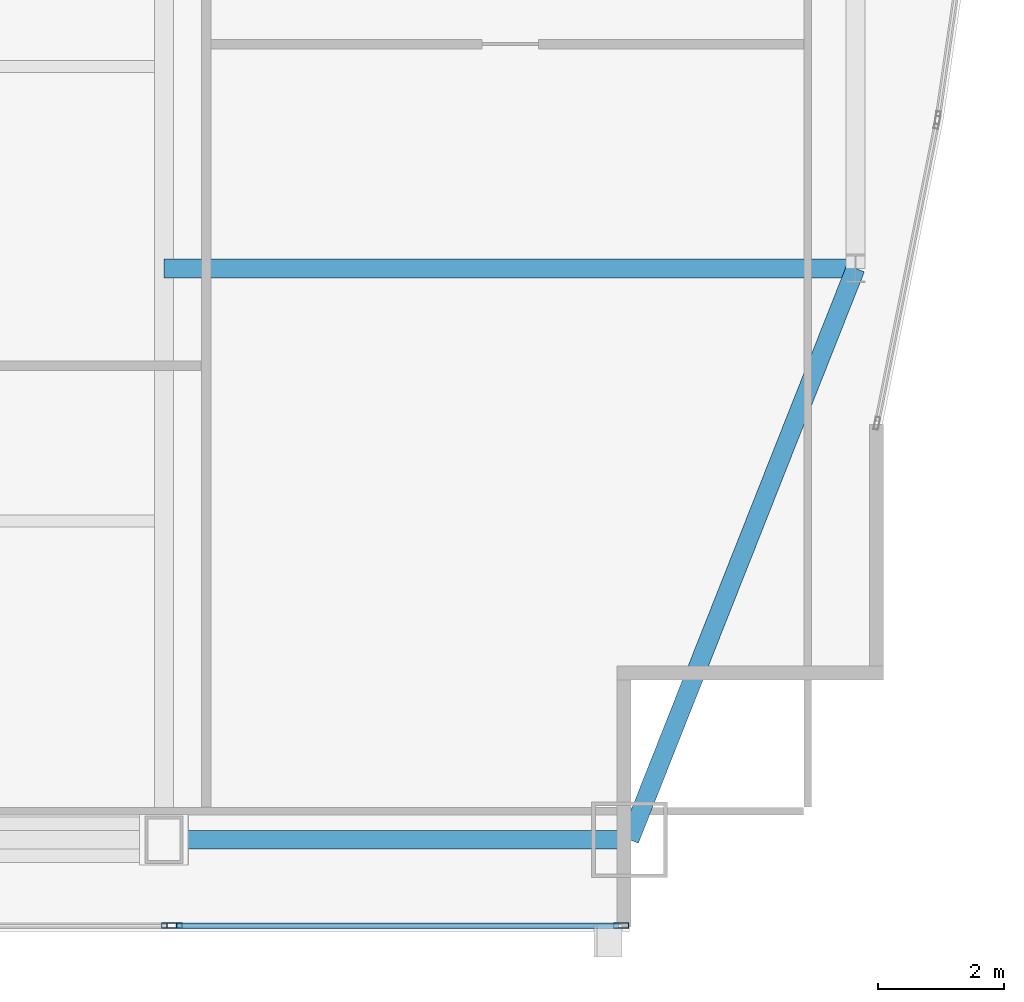
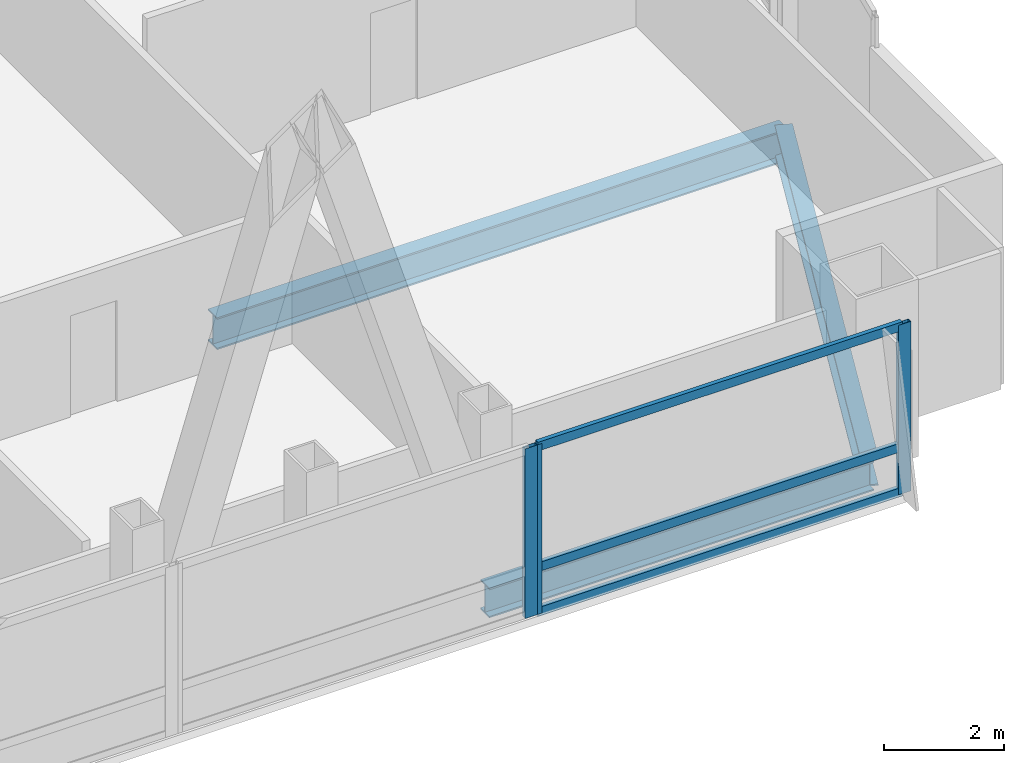
# One storey, part 15 of 32: 6 members, 3 beams, 2 elements without a shape of their own.
"""IFC4 building model written with IfcOpenShell, lengths in metres."""

from ifc_helpers import new_model, si_unit, direction, frame, origin, origin_2d, place, context, subcontext, project, spatial, hollow_rectangle, i_section, extrude, material, material_profile, profile_set, type_object, element, aggregate, save


model = new_model("IFC4")

# Units and contexts
model_context = context("Model", 3, precision=1e-05, world=origin(), true_north=direction((0.0, 1.0)))
body_context = subcontext(model_context, "Body", "Model", "MODEL_VIEW")
ifc_project = project(units=[si_unit("LENGTHUNIT", "METRE"), si_unit("AREAUNIT", "SQUARE_METRE"), si_unit("VOLUMEUNIT", "CUBIC_METRE"), si_unit("PLANEANGLEUNIT", "RADIAN"), si_unit("MASSUNIT", "GRAM", prefix="KILO")], contexts=[model_context])

# Site, building, storey
site_placement = place(None, origin())
site = spatial("IfcSite", under=ifc_project, at=site_placement, CompositionType="ELEMENT")
building_placement = place(site_placement, origin())
building = spatial("IfcBuilding", under=site, at=building_placement, Name="Khoronbel Lancet Exchange", CompositionType="ELEMENT")
storey_placement = place(building_placement, frame((0.0, 0.0, 221.0)))
storey = spatial("IfcBuildingStorey", under=building, at=storey_placement, Name="L56", CompositionType="ELEMENT", Elevation=221.0)

# Beams
ifc_material_1 = material(Name="Steel S355", Category="steel")
ifc_material_profile_1 = material_profile(ifc_material_1, i_section(OverallWidth=0.300048828125, OverallDepth=0.64990234375, WebThickness=0.01611328125, FlangeThickness=0.031005859375, at=origin_2d()), Name="HEB 650")
ifc_profile_set_1 = profile_set([ifc_material_profile_1], Name="Steel S355")
beam_type_1 = type_object("IfcBeamType", Name="BM-BG4", PredefinedType="BEAM", material=ifc_profile_set_1)
beam_1_placement = place(storey_placement, frame((54.675048828125, 19.199951171875, -0.485107421875), z_axis=(1.0, 0.0, 0.0), x_axis=(0.0, 1.0, 0.0)))
element("IfcBeam", 1, at=beam_1_placement, inside=storey, type_object=beam_type_1, Name="Level L56 east lens tie girder LG1E", PredefinedType="BEAM", context=body_context, shape_type="SweptSolid", body=[
    extrude(i_section(OverallWidth=0.300048828125, OverallDepth=0.64990234375, WebThickness=0.01611328125, FlangeThickness=0.031005859375, at=origin_2d()), origin(), (0.0, 0.0, 1.0), 10.954833984375),
])
ifc_material_profile_2 = material_profile(ifc_material_1, i_section(OverallWidth=0.300048828125, OverallDepth=0.60009765625, WebThickness=0.015380859375, FlangeThickness=0.030029296875, at=origin_2d()), Name="HEB 600")
ifc_profile_set_2 = profile_set([ifc_material_profile_2], Name="Steel S355")
beam_type_2 = type_object("IfcBeamType", Name="BM-BSP2", PredefinedType="SPANDREL", material=ifc_profile_set_2)
beam_2_placement = place(storey_placement, frame((54.675048828125, 10.14990234375, -0.4599609375), z_axis=(1.0, 0.0, 0.0), x_axis=(0.0, 1.0, 0.0)))
element("IfcBeam", 2, at=beam_2_placement, inside=storey, type_object=beam_type_2, Name="Level L56 perimeter spandrel beam SP09", PredefinedType="SPANDREL", context=body_context, shape_type="SweptSolid", body=[
    extrude(i_section(OverallWidth=0.300048828125, OverallDepth=0.60009765625, WebThickness=0.015380859375, FlangeThickness=0.030029296875, at=origin_2d()), origin(), (0.0, 0.0, 1.0), 7.375),
])
beam_3_placement = place(storey_placement, frame((62.050048828125, 10.14990234375, -0.4599609375), z_axis=(0.367828403855, 0.929893684954, 0.0), x_axis=(-0.929893684954, 0.367828403855, 0.0)))
element("IfcBeam", 3, at=beam_3_placement, inside=storey, type_object=beam_type_2, Name="Level L56 perimeter spandrel beam SP10", PredefinedType="SPANDREL", context=body_context, shape_type="SweptSolid", body=[
    extrude(i_section(OverallWidth=0.300048828125, OverallDepth=0.60009765625, WebThickness=0.015380859375, FlangeThickness=0.030029296875, at=origin_2d()), origin(), (0.0, 0.0, 1.0), 9.732421875),
])

# Curtain wall, member
ifc_material_2 = material(Name="Low-E Solar Control Insulating Glass", Category="glass")
curtain_wall_type = type_object("IfcCurtainWallType", Name="CW-3", PredefinedType="NOTDEFINED", material=ifc_material_2)
curtain_wall_1_placement = place(storey_placement, origin())
curtain_wall_1 = element("IfcCurtainWall", 4, at=curtain_wall_1_placement, inside=storey, type_object=curtain_wall_type, Name="Unitised curtain wall CW-L56-SEB", PredefinedType="NOTDEFINED")
ifc_material_3 = material(Name="Bronze-Anodised Aluminium 6063-T6", Category="aluminium")
ifc_material_profile_3 = material_profile(ifc_material_3, hollow_rectangle(XDim=0.0849609375, YDim=0.239990234375, WallThickness=0.006103515625, at=origin_2d()), Name="ALU MULLION 85x240")
ifc_profile_set_3 = profile_set([ifc_material_profile_3], Name="Bronze-Anodised Aluminium 6063-T6")
member_type_1 = type_object("IfcMemberType", Name="MEM-CWM1", PredefinedType="MULLION", material=ifc_profile_set_3)
member_1_placement = place(storey_placement, frame((54.757568359375, 8.7900390625, 0.0), z_axis=(0.0, 0.0, 1.0), x_axis=(0.0, 1.0, 0.0)))
member_1 = element("IfcMember", 5, at=member_1_placement, type_object=member_type_1, Name="CW3 mullion 2", PredefinedType="MULLION", context=body_context, shape_type="SweptSolid", body=[
    extrude(hollow_rectangle(XDim=0.0849609375, YDim=0.239990234375, WallThickness=0.006103515625, at=origin_2d()), origin(), (0.0, 0.0, 1.0), 3.43994140625),
])
aggregate(curtain_wall_1, [member_1])

# Curtain wall, members
curtain_wall_2_placement = place(storey_placement, origin())
curtain_wall_2 = element("IfcCurtainWall", 6, at=curtain_wall_2_placement, inside=storey, type_object=curtain_wall_type, Name="Unitised curtain wall CW-L56-SEV", PredefinedType="NOTDEFINED")
member_2_placement = place(storey_placement, frame((54.842529296875, 8.7900390625, 0.0), z_axis=(0.0, 0.0, 1.0), x_axis=(0.0, 1.0, 0.0)))
member_2 = element("IfcMember", 7, at=member_2_placement, type_object=member_type_1, Name="CW3 mullion 1", PredefinedType="MULLION", context=body_context, shape_type="SweptSolid", body=[
    extrude(hollow_rectangle(XDim=0.0849609375, YDim=0.239990234375, WallThickness=0.006103515625, at=origin_2d()), origin(), (0.0, 0.0, 1.0), 3.43994140625),
])
member_3_placement = place(storey_placement, frame((61.91748046875, 8.7900390625, 0.0), z_axis=(0.0, 0.0, 1.0), x_axis=(0.0, 1.0, 0.0)))
member_3 = element("IfcMember", 8, at=member_3_placement, type_object=member_type_1, Name="CW3 mullion 2", PredefinedType="MULLION", context=body_context, shape_type="SweptSolid", body=[
    extrude(hollow_rectangle(XDim=0.0849609375, YDim=0.239990234375, WallThickness=0.006103515625, at=origin_2d()), origin(), (0.0, 0.0, 1.0), 3.43994140625),
])
ifc_material_profile_4 = material_profile(ifc_material_3, hollow_rectangle(XDim=0.0849609375, YDim=0.179931640625, WallThickness=0.0048828125, at=origin_2d()), Name="ALU TRANSOM 85x180")
ifc_profile_set_4 = profile_set([ifc_material_profile_4], Name="Bronze-Anodised Aluminium 6063-T6")
member_type_2 = type_object("IfcMemberType", Name="MEM-CWT1", PredefinedType="USERDEFINED", material=ifc_profile_set_4)
member_4_placement = place(storey_placement, frame((54.885009765625, 8.7900390625, 0.04248046875), z_axis=(1.0, 0.0, 0.0), x_axis=(0.0, 1.0, 0.0)))
member_4 = element("IfcMember", 9, at=member_4_placement, type_object=member_type_2, Name="CW3 transom 1.1", ObjectType="TRANSOM", PredefinedType="USERDEFINED", context=body_context, shape_type="SweptSolid", body=[
    extrude(hollow_rectangle(XDim=0.0849609375, YDim=0.179931640625, WallThickness=0.0048828125, at=origin_2d()), origin(), (0.0, 0.0, 1.0), 6.989990234375),
])
member_5_placement = place(storey_placement, frame((54.885009765625, 8.7900390625, 0.949951171875), z_axis=(1.0, 0.0, 0.0), x_axis=(0.0, 1.0, 0.0)))
member_5 = element("IfcMember", 10, at=member_5_placement, type_object=member_type_2, Name="CW3 transom 1.2", ObjectType="TRANSOM", PredefinedType="USERDEFINED", context=body_context, shape_type="SweptSolid", body=[
    extrude(hollow_rectangle(XDim=0.0849609375, YDim=0.179931640625, WallThickness=0.0048828125, at=origin_2d()), origin(), (0.0, 0.0, 1.0), 6.989990234375),
])
member_6_placement = place(storey_placement, frame((54.885009765625, 8.7900390625, 3.3974609375), z_axis=(1.0, 0.0, 0.0), x_axis=(0.0, 1.0, 0.0)))
member_6 = element("IfcMember", 11, at=member_6_placement, type_object=member_type_2, Name="CW3 transom 1.3", ObjectType="TRANSOM", PredefinedType="USERDEFINED", context=body_context, shape_type="SweptSolid", body=[
    extrude(hollow_rectangle(XDim=0.0849609375, YDim=0.179931640625, WallThickness=0.0048828125, at=origin_2d()), origin(), (0.0, 0.0, 1.0), 6.989990234375),
])
aggregate(curtain_wall_2, [member_2, member_3, member_4, member_5, member_6])

save(model, "model.ifc")
